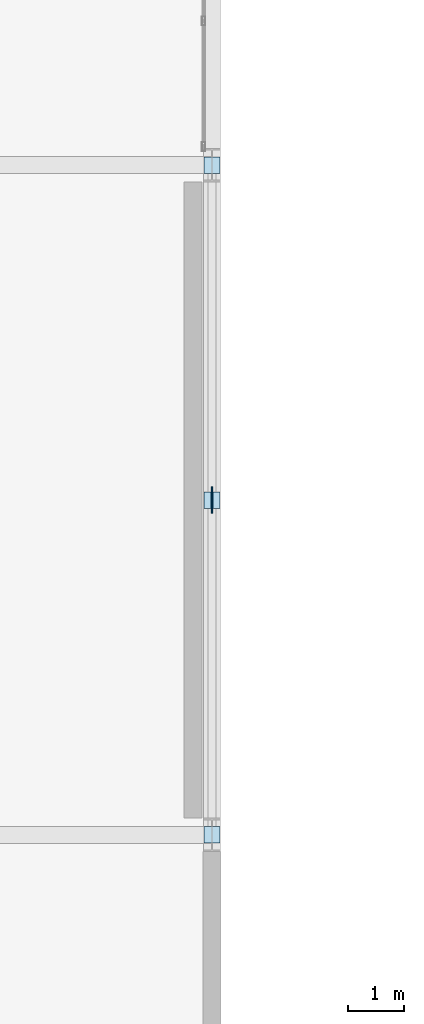
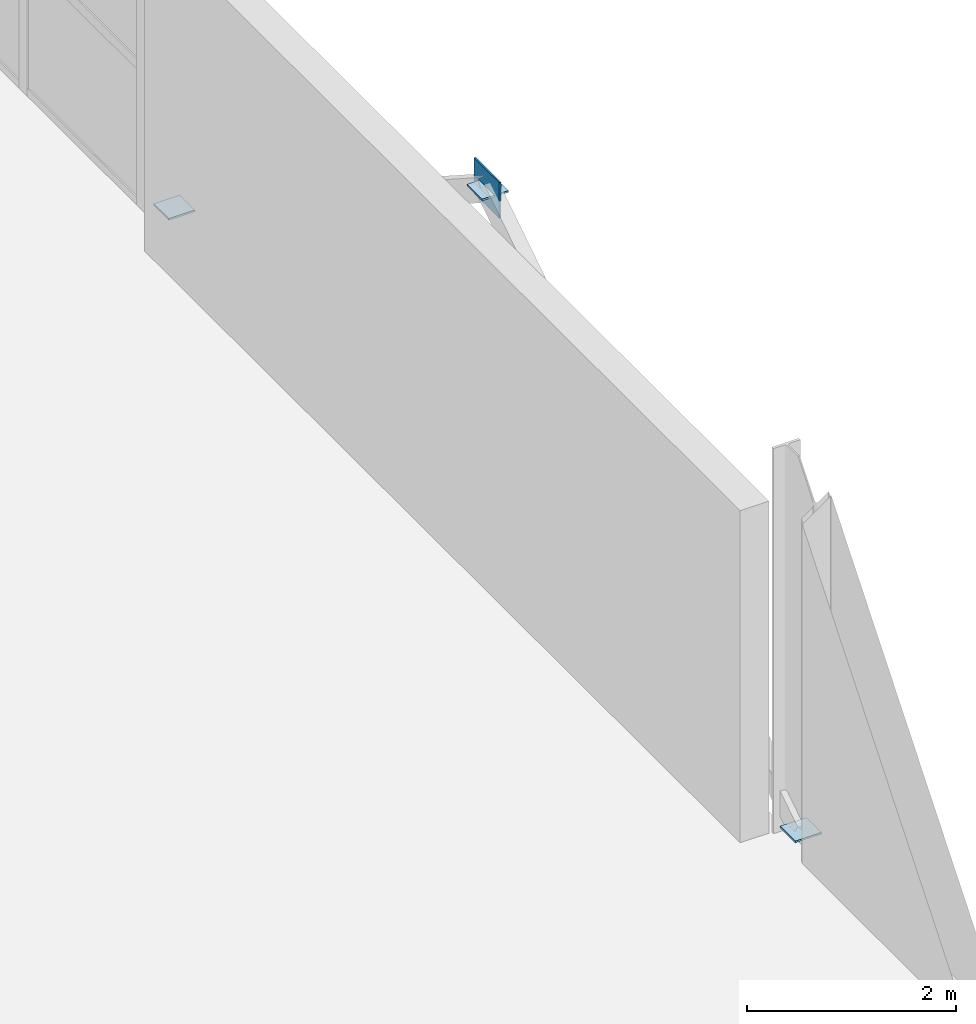
# One storey, part 115 of 130: 4 plates.
"""IFC4 building model written with IfcOpenShell, lengths in metres."""

from ifc_helpers import new_model, si_unit, direction, frame, origin, origin_2d, place, context, subcontext, project, spatial, rectangle, extrude, material, layer, layer_set, type_object, element, save


model = new_model("IFC4")

# Units and contexts
model_context = context("Model", 3, precision=1e-05, world=origin(), true_north=direction((0.0, 1.0)))
body_context = subcontext(model_context, "Body", "Model", "MODEL_VIEW")
ifc_project = project(units=[si_unit("LENGTHUNIT", "METRE"), si_unit("AREAUNIT", "SQUARE_METRE"), si_unit("VOLUMEUNIT", "CUBIC_METRE"), si_unit("PLANEANGLEUNIT", "RADIAN"), si_unit("MASSUNIT", "GRAM", prefix="KILO")], contexts=[model_context])

# Site, building, storey
site_placement = place(None, origin())
site = spatial("IfcSite", under=ifc_project, at=site_placement, CompositionType="ELEMENT")
building_placement = place(site_placement, origin())
building = spatial("IfcBuilding", under=site, at=building_placement, Name="Veltarok Museum of Natural Sciences", CompositionType="ELEMENT")
storey_placement = place(building_placement, frame((0.0, 0.0, 12.89990234375)))
storey = spatial("IfcBuildingStorey", under=building, at=storey_placement, Name="L02", CompositionType="ELEMENT", Elevation=12.89990234375)

# Plates
ifc_material = material(Name="Steel S355J2", Category="steel")
ifc_layer_1 = layer(ifc_material, 0.02001953125)
ifc_layer_set_1 = layer_set([ifc_layer_1], Name="Steel S355J2")
plate_type_1 = type_object("IfcPlateType", Name="Hollow End Closure Plate D290x20", PredefinedType="USERDEFINED", material=ifc_layer_set_1)
for number, where, z_axis, x_axis, name in (
    (1, (98.800048828125, 36.00341796875, 0.142333984375), (0.0, 0.0, 1.0), (0.0, 1.0, 0.0), "End Cap Plate CP-273 450"),
    (2, (98.800048828125, 41.99658203125, 4.0078125), (0.0, 0.0, 1.0), (0.0, 1.0, 0.0), "End Cap Plate CP-273 451"),
    (3, (98.800048828125, 47.99658203125, 0.142333984375), (0.0, 0.0, 1.0), (0.0, 1.0, 0.0), "End Cap Plate CP-273 452"),
):
    element("IfcPlate", number, at=place(storey_placement, frame(where, z_axis=z_axis, x_axis=x_axis)), inside=storey, type_object=plate_type_1, Name=name, ObjectType="END CAP PLATE", PredefinedType="USERDEFINED", context=body_context, shape_type="SweptSolid", body=[
        extrude(rectangle(XDim=0.2900390625, YDim=0.2900390625, at=origin_2d()), origin(), (0.0, 0.0, 1.0), 0.02001953125),
    ])
ifc_layer_2 = layer(ifc_material, 0.02001953125)
ifc_layer_set_2 = layer_set([ifc_layer_2], Name="Steel S355J2")
plate_type_2 = type_object("IfcPlateType", Name="Lateral Brace Gusset Node Plate BN1", PredefinedType="USERDEFINED", material=ifc_layer_set_2)
plate_placement = place(storey_placement, frame((98.800048828125, 42.0, 3.81005859375), z_axis=(0.0, 0.0, 1.0), x_axis=(1.0, 0.0, 0.0)))
element("IfcPlate", 4, at=plate_placement, inside=storey, type_object=plate_type_2, Name="Lateral Brace Apex Node BN1 29", ObjectType="GUSSET PLATE", PredefinedType="USERDEFINED", context=body_context, shape_type="SweptSolid", body=[
    extrude(rectangle(XDim=0.02001953125, YDim=0.47998046875, at=origin_2d()), origin(), (0.0, 0.0, 1.0), 0.419921875),
])

save(model, "model.ifc")
